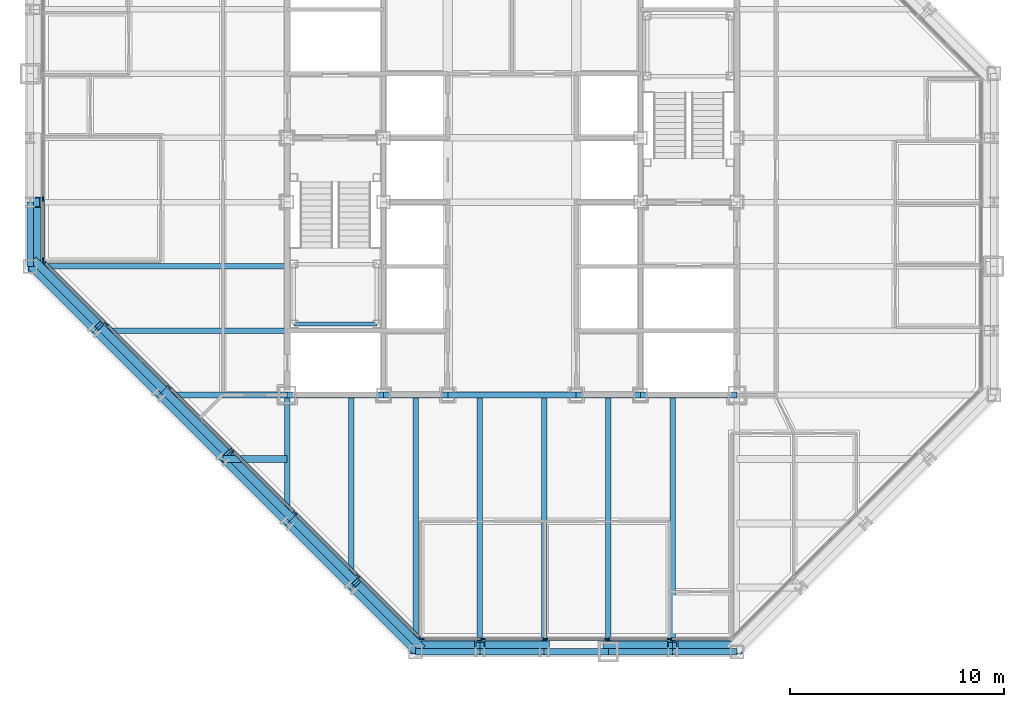
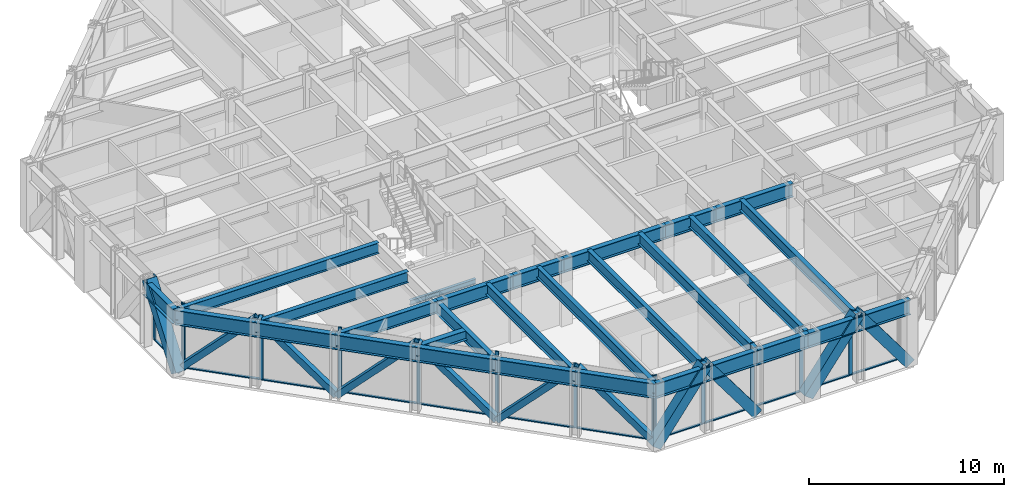
# One storey, part 5 of 16: 37 members, 29 beams, 3 elements without a shape of their own.
"""IFC4 building model written with IfcOpenShell, lengths in metres."""

from ifc_helpers import new_model, si_unit, direction, frame, origin, origin_2d, place, context, subcontext, project, spatial, rectangle, hollow_rectangle, i_section, extrude, material, layer, layer_set, material_profile, profile_set, type_object, element, aggregate, save


model = new_model("IFC4")

# Units and contexts
model_context = context("Model", 3, precision=1e-05, world=origin(), true_north=direction((0.0, 1.0)))
body_context = subcontext(model_context, "Body", "Model", "MODEL_VIEW")
ifc_project = project(units=[si_unit("LENGTHUNIT", "METRE"), si_unit("AREAUNIT", "SQUARE_METRE"), si_unit("VOLUMEUNIT", "CUBIC_METRE"), si_unit("PLANEANGLEUNIT", "RADIAN"), si_unit("MASSUNIT", "GRAM", prefix="KILO")], contexts=[model_context])

# Site, building, storey
site_placement = place(None, origin())
site = spatial("IfcSite", under=ifc_project, at=site_placement, CompositionType="ELEMENT")
building_placement = place(site_placement, origin())
building = spatial("IfcBuilding", under=site, at=building_placement, Name="Chuquiago Exchange Tower", CompositionType="ELEMENT")
storey_placement = place(building_placement, frame((0.0, 0.0, 209.699951171875)))
storey = spatial("IfcBuildingStorey", under=building, at=storey_placement, Name="L46", CompositionType="ELEMENT", Elevation=209.699951171875)

# Beams
ifc_material_1 = material(Name="Steel ASTM A992", Category="steel")
ifc_material_profile_1 = material_profile(ifc_material_1, i_section(OverallWidth=0.25390625, OverallDepth=0.683349609375, WebThickness=0.012451171875, FlangeThickness=0.018798828125, at=origin_2d()), Name="W27X94")
ifc_profile_set_1 = profile_set([ifc_material_profile_1], Name="Steel ASTM A992")
beam_type_1 = type_object("IfcBeamType", Name="B1 W27X94", PredefinedType="BEAM", material=ifc_profile_set_1)
beam_1_placement = place(storey_placement, frame((15.0, 12.0, 3.698486328125), z_axis=(0.0, -1.0, 0.0), x_axis=(1.0, 0.0, 0.0)))
element("IfcBeam", 1, at=beam_1_placement, inside=storey, type_object=beam_type_1, Name="FB-L47-infill-15_12-15_3-0", PredefinedType="BEAM", context=body_context, shape_type="SweptSolid", body=[
    extrude(i_section(OverallWidth=0.25390625, OverallDepth=0.683349609375, WebThickness=0.012451171875, FlangeThickness=0.018798828125, at=origin_2d()), origin(), (0.0, 0.0, 1.0), 9.0),
])
for number, where, z_axis, x_axis, name in (
    (2, (18.0, 12.0, 3.698486328125), (0.0, -1.0, 0.0), (1.0, 0.0, 0.0), "FB-L47-infill-18_12-18_-0-0"),
    (3, (21.0, 12.0, 3.698486328125), (0.0, -1.0, 0.0), (1.0, 0.0, 0.0), "FB-L47-infill-21_12-21_-0-0"),
    (4, (24.0, 12.0, 3.698486328125), (0.0, -1.0, 0.0), (1.0, 0.0, 0.0), "FB-L47-infill-24_12-24_-0-0"),
    (5, (27.0, 12.0, 3.698486328125), (0.0, -1.0, 0.0), (1.0, 0.0, 0.0), "FB-L47-infill-27_12-27_-0-0"),
    (6, (30.0, 12.0, 3.698486328125), (0.0, -1.0, 0.0), (1.0, 0.0, 0.0), "FB-L47-infill-30_12-30_-0-0"),
):
    element("IfcBeam", number, at=place(storey_placement, frame(where, z_axis=z_axis, x_axis=x_axis)), inside=storey, type_object=beam_type_1, Name=name, PredefinedType="BEAM", context=body_context, shape_type="SweptSolid", body=[
        extrude(i_section(OverallWidth=0.25390625, OverallDepth=0.683349609375, WebThickness=0.012451171875, FlangeThickness=0.018798828125, at=origin_2d()), origin(), (0.0, 0.0, 1.0), 12.0),
    ])
beam_2_placement = place(storey_placement, frame((12.0, 15.0, 3.698486328125), z_axis=(-1.0, 0.0, 0.0), x_axis=(0.0, -1.0, 0.0)))
element("IfcBeam", 7, at=beam_2_placement, inside=storey, type_object=beam_type_1, Name="FB-L47-infill-12_15-3_15-0", PredefinedType="BEAM", context=body_context, shape_type="SweptSolid", body=[
    extrude(i_section(OverallWidth=0.25390625, OverallDepth=0.683349609375, WebThickness=0.012451171875, FlangeThickness=0.018798828125, at=origin_2d()), origin(), (0.0, 0.0, 1.0), 9.0),
])
beam_3_placement = place(storey_placement, frame((12.0, 18.0, 3.698486328125), z_axis=(-1.0, 0.0, 0.0), x_axis=(0.0, -1.0, 0.0)))
element("IfcBeam", 8, at=beam_3_placement, inside=storey, type_object=beam_type_1, Name="FB-L47-infill-12_18--0_18-0", PredefinedType="BEAM", context=body_context, shape_type="SweptSolid", body=[
    extrude(i_section(OverallWidth=0.25390625, OverallDepth=0.683349609375, WebThickness=0.012451171875, FlangeThickness=0.018798828125, at=origin_2d()), origin(), (0.0, 0.0, 1.0), 12.0),
])
ifc_material_2 = material(Name="Steel ASTM A992", Category="steel")
ifc_material_profile_2 = material_profile(ifc_material_2, i_section(OverallWidth=0.3251953125, OverallDepth=0.612060546875, WebThickness=0.0126953125, FlangeThickness=0.01904296875, at=origin_2d()), Name="W24X104")
ifc_profile_set_2 = profile_set([ifc_material_profile_2], Name="Steel ASTM A992")
beam_type_2 = type_object("IfcBeamType", Name="B2 W24X104", PredefinedType="BEAM", material=ifc_profile_set_2)
beam_4_placement = place(storey_placement, frame((12.0, 9.0, 3.73388671875), z_axis=(-1.0, 0.0, 0.0), x_axis=(0.0, -1.0, 0.0)))
element("IfcBeam", 9, at=beam_4_placement, inside=storey, type_object=beam_type_2, Name="FB-L47-corner-12_9-9_9-0", PredefinedType="BEAM", context=body_context, shape_type="SweptSolid", body=[
    extrude(i_section(OverallWidth=0.3251953125, OverallDepth=0.612060546875, WebThickness=0.0126953125, FlangeThickness=0.01904296875, at=origin_2d()), origin(), (0.0, 0.0, 1.0), 3.0),
])
ifc_material_3 = material(Name="Steel ASTM A992", Category="steel")
ifc_material_profile_3 = material_profile(ifc_material_3, i_section(OverallWidth=0.2919921875, OverallDepth=0.8583984375, WebThickness=0.01708984375, FlangeThickness=0.031005859375, at=origin_2d()), Name="W33X169")
ifc_profile_set_3 = profile_set([ifc_material_profile_3], Name="Steel ASTM A992")
beam_type_3 = type_object("IfcBeamType", Name="B3 W33X169", PredefinedType="BEAM", material=ifc_profile_set_3)
beam_5_placement = place(storey_placement, frame((12.0, 12.0, 3.61083984375), z_axis=(1.0, 0.0, 0.0), x_axis=(0.0, 1.0, 0.0)))
element("IfcBeam", 10, at=beam_5_placement, inside=storey, type_object=beam_type_3, Name="CB-L47-12_12-16.5_12", PredefinedType="BEAM", context=body_context, shape_type="SweptSolid", body=[
    extrude(i_section(OverallWidth=0.2919921875, OverallDepth=0.8583984375, WebThickness=0.01708984375, FlangeThickness=0.031005859375, at=origin_2d()), origin(), (0.0, 0.0, 1.0), 4.5),
])
beam_6_placement = place(storey_placement, frame((16.5, 12.0, 3.61083984375), z_axis=(1.0, 0.0, 0.0), x_axis=(0.0, 1.0, 0.0)))
element("IfcBeam", 11, at=beam_6_placement, inside=storey, type_object=beam_type_3, Name="CB-L47-16.5_12-19.5_12", PredefinedType="BEAM", context=body_context, shape_type="SweptSolid", body=[
    extrude(i_section(OverallWidth=0.2919921875, OverallDepth=0.8583984375, WebThickness=0.01708984375, FlangeThickness=0.031005859375, at=origin_2d()), origin(), (0.0, 0.0, 1.0), 3.0),
])
beam_7_placement = place(storey_placement, frame((19.5, 12.0, 3.61083984375), z_axis=(1.0, 0.0, 0.0), x_axis=(0.0, 1.0, 0.0)))
element("IfcBeam", 12, at=beam_7_placement, inside=storey, type_object=beam_type_3, Name="CB-L47-19.5_12-25.5_12", PredefinedType="BEAM", context=body_context, shape_type="SweptSolid", body=[
    extrude(i_section(OverallWidth=0.2919921875, OverallDepth=0.8583984375, WebThickness=0.01708984375, FlangeThickness=0.031005859375, at=origin_2d()), origin(), (0.0, 0.0, 1.0), 6.0),
])
beam_8_placement = place(storey_placement, frame((25.5, 12.0, 3.61083984375), z_axis=(1.0, 0.0, 0.0), x_axis=(0.0, 1.0, 0.0)))
element("IfcBeam", 13, at=beam_8_placement, inside=storey, type_object=beam_type_3, Name="CB-L47-25.5_12-28.5_12", PredefinedType="BEAM", context=body_context, shape_type="SweptSolid", body=[
    extrude(i_section(OverallWidth=0.2919921875, OverallDepth=0.8583984375, WebThickness=0.01708984375, FlangeThickness=0.031005859375, at=origin_2d()), origin(), (0.0, 0.0, 1.0), 3.0),
])
beam_9_placement = place(storey_placement, frame((28.5, 12.0, 3.61083984375), z_axis=(1.0, 0.0, 0.0), x_axis=(0.0, 1.0, 0.0)))
element("IfcBeam", 14, at=beam_9_placement, inside=storey, type_object=beam_type_3, Name="CB-L47-28.5_12-33_12", PredefinedType="BEAM", context=body_context, shape_type="SweptSolid", body=[
    extrude(i_section(OverallWidth=0.2919921875, OverallDepth=0.8583984375, WebThickness=0.01708984375, FlangeThickness=0.031005859375, at=origin_2d()), origin(), (0.0, 0.0, 1.0), 4.5),
])

# Curtain wall, members
ifc_material_4 = material(Name="Aluminium curtain wall system", Category="aluminium")
ifc_layer_1 = layer(ifc_material_4, 0.22509765625)
ifc_layer_set_1 = layer_set([ifc_layer_1], Name="CW2 office curtain wall")
curtain_wall_type_1 = type_object("IfcCurtainWallType", Name="CW2 office curtain wall", PredefinedType="NOTDEFINED", material=ifc_layer_set_1)
curtain_wall_1_placement = place(storey_placement, origin())
curtain_wall_1 = element("IfcCurtainWall", 15, at=curtain_wall_1_placement, inside=storey, type_object=curtain_wall_type_1, Name="CW2 curtain wall L46", PredefinedType="NOTDEFINED")
ifc_material_5 = material(Name="Aluminium mullion, pale anodised", Category="aluminium")
ifc_material_profile_4 = material_profile(ifc_material_5, rectangle(XDim=0.06494140625, YDim=0.22509765625, at=origin_2d()), Name="AL 65x225")
ifc_profile_set_4 = profile_set([ifc_material_profile_4], Name="Aluminium mullion, pale anodised")
member_type_1 = type_object("IfcMemberType", Name="CW2-M mullion 65x225", PredefinedType="MULLION", material=ifc_profile_set_4)
member_1_placement = place(storey_placement, frame((18.281005859375, 0.60009765625, 0.0), z_axis=(0.0, 0.0, 1.0), x_axis=(0.0, 1.0, 0.0)))
member_1 = element("IfcMember", 16, at=member_1_placement, type_object=member_type_1, Name="CW2 mullion 1", PredefinedType="MULLION", context=body_context, shape_type="SweptSolid", body=[
    extrude(rectangle(XDim=0.06494140625, YDim=0.22509765625, at=origin_2d()), origin(), (0.0, 0.0, 1.0), 4.0400390625),
])
member_2_placement = place(storey_placement, frame((21.149169921875, 0.60009765625, 0.0), z_axis=(0.0, 0.0, 1.0), x_axis=(0.0, 1.0, 0.0)))
member_2 = element("IfcMember", 17, at=member_2_placement, type_object=member_type_1, Name="CW2 mullion 2", PredefinedType="MULLION", context=body_context, shape_type="SweptSolid", body=[
    extrude(rectangle(XDim=0.06494140625, YDim=0.22509765625, at=origin_2d()), origin(), (0.0, 0.0, 1.0), 4.0400390625),
])
member_3_placement = place(storey_placement, frame((24.0498046875, 0.60009765625, 0.0), z_axis=(0.0, 0.0, 1.0), x_axis=(0.0, 1.0, 0.0)))
member_3 = element("IfcMember", 18, at=member_3_placement, type_object=member_type_1, Name="CW2 mullion 3", PredefinedType="MULLION", context=body_context, shape_type="SweptSolid", body=[
    extrude(rectangle(XDim=0.06494140625, YDim=0.22509765625, at=origin_2d()), origin(), (0.0, 0.0, 1.0), 4.0400390625),
])
member_4_placement = place(storey_placement, frame((26.9501953125, 0.60009765625, 0.0), z_axis=(0.0, 0.0, 1.0), x_axis=(0.0, 1.0, 0.0)))
member_4 = element("IfcMember", 19, at=member_4_placement, type_object=member_type_1, Name="CW2 mullion 4", PredefinedType="MULLION", context=body_context, shape_type="SweptSolid", body=[
    extrude(rectangle(XDim=0.06494140625, YDim=0.22509765625, at=origin_2d()), origin(), (0.0, 0.0, 1.0), 4.0400390625),
])
member_5_placement = place(storey_placement, frame((29.850830078125, 0.60009765625, 0.0), z_axis=(0.0, 0.0, 1.0), x_axis=(0.0, 1.0, 0.0)))
member_5 = element("IfcMember", 20, at=member_5_placement, type_object=member_type_1, Name="CW2 mullion 5", PredefinedType="MULLION", context=body_context, shape_type="SweptSolid", body=[
    extrude(rectangle(XDim=0.06494140625, YDim=0.22509765625, at=origin_2d()), origin(), (0.0, 0.0, 1.0), 4.0400390625),
])

curtain_wall_2_placement = place(storey_placement, origin())
curtain_wall_2 = element("IfcCurtainWall", 21, at=curtain_wall_2_placement, inside=storey, type_object=curtain_wall_type_1, Name="CW2 curtain wall L46", PredefinedType="NOTDEFINED")
member_6_placement = place(storey_placement, frame((0.60009765625, 21.149169921875, 0.0), z_axis=(0.0, 0.0, 1.0), x_axis=(1.0, 0.0, 0.0)))
member_6 = element("IfcMember", 22, at=member_6_placement, type_object=member_type_1, Name="CW2 mullion 5", PredefinedType="MULLION", context=body_context, shape_type="SweptSolid", body=[
    extrude(rectangle(XDim=0.06494140625, YDim=0.22509765625, at=origin_2d()), origin(), (0.0, 0.0, 1.0), 4.0400390625),
])
member_7_placement = place(storey_placement, frame((0.60009765625, 18.281005859375, 0.0), z_axis=(0.0, 0.0, 1.0), x_axis=(1.0, 0.0, 0.0)))
member_7 = element("IfcMember", 23, at=member_7_placement, type_object=member_type_1, Name="CW2 mullion 6", PredefinedType="MULLION", context=body_context, shape_type="SweptSolid", body=[
    extrude(rectangle(XDim=0.06494140625, YDim=0.22509765625, at=origin_2d()), origin(), (0.0, 0.0, 1.0), 4.0400390625),
])

# Member
ifc_material_6 = material(Name="Aluminium transom, pale anodised", Category="aluminium")
ifc_material_profile_5 = material_profile(ifc_material_6, rectangle(XDim=0.139892578125, YDim=0.06494140625, at=origin_2d()), Name="AL 140x65")
ifc_profile_set_5 = profile_set([ifc_material_profile_5], Name="Aluminium transom, pale anodised")
member_type_2 = type_object("IfcMemberType", Name="CW2-T transom 65x140", PredefinedType="MULLION", material=ifc_profile_set_5)
member_8_placement = place(storey_placement, frame((18.3134765625, 0.60009765625, 0.032470703125), z_axis=(1.0, 0.0, 0.0), x_axis=(0.0, 1.0, 0.0)))
member_8 = element("IfcMember", 24, at=member_8_placement, type_object=member_type_2, Name="CW2 transom 1.1", PredefinedType="MULLION", context=body_context, shape_type="SweptSolid", body=[
    extrude(rectangle(XDim=0.139892578125, YDim=0.06494140625, at=origin_2d()), origin(), (0.0, 0.0, 1.0), 2.80322265625),
])

member_9_placement = place(storey_placement, frame((21.181640625, 0.60009765625, 0.032470703125), z_axis=(1.0, 0.0, 0.0), x_axis=(0.0, 1.0, 0.0)))
member_9 = element("IfcMember", 25, at=member_9_placement, type_object=member_type_2, Name="CW2 transom 2.1", PredefinedType="MULLION", context=body_context, shape_type="SweptSolid", body=[
    extrude(rectangle(XDim=0.139892578125, YDim=0.06494140625, at=origin_2d()), origin(), (0.0, 0.0, 1.0), 2.83544921875),
])

member_10_placement = place(storey_placement, frame((24.082275390625, 0.60009765625, 0.032470703125), z_axis=(1.0, 0.0, 0.0), x_axis=(0.0, 1.0, 0.0)))
member_10 = element("IfcMember", 26, at=member_10_placement, type_object=member_type_2, Name="CW2 transom 3.1", PredefinedType="MULLION", context=body_context, shape_type="SweptSolid", body=[
    extrude(rectangle(XDim=0.139892578125, YDim=0.06494140625, at=origin_2d()), origin(), (0.0, 0.0, 1.0), 2.83544921875),
])

member_11_placement = place(storey_placement, frame((26.98291015625, 0.60009765625, 0.032470703125), z_axis=(1.0, 0.0, 0.0), x_axis=(0.0, 1.0, 0.0)))
member_11 = element("IfcMember", 27, at=member_11_placement, type_object=member_type_2, Name="CW2 transom 4.1", PredefinedType="MULLION", context=body_context, shape_type="SweptSolid", body=[
    extrude(rectangle(XDim=0.139892578125, YDim=0.06494140625, at=origin_2d()), origin(), (0.0, 0.0, 1.0), 2.83544921875),
])

member_12_placement = place(storey_placement, frame((29.88330078125, 0.60009765625, 0.032470703125), z_axis=(1.0, 0.0, 0.0), x_axis=(0.0, 1.0, 0.0)))
member_12 = element("IfcMember", 28, at=member_12_placement, type_object=member_type_2, Name="CW2 transom 5.1", PredefinedType="MULLION", context=body_context, shape_type="SweptSolid", body=[
    extrude(rectangle(XDim=0.139892578125, YDim=0.06494140625, at=origin_2d()), origin(), (0.0, 0.0, 1.0), 2.80322265625),
])

aggregate(curtain_wall_1, [member_1, member_2, member_3, member_4, member_5, member_8, member_9, member_10, member_11, member_12])

member_13_placement = place(storey_placement, frame((0.60009765625, 21.11669921875, 0.032470703125), z_axis=(0.0, -1.0, 0.0), x_axis=(1.0, 0.0, 0.0)))
member_13 = element("IfcMember", 29, at=member_13_placement, type_object=member_type_2, Name="CW2 transom 5.1", PredefinedType="MULLION", context=body_context, shape_type="SweptSolid", body=[
    extrude(rectangle(XDim=0.139892578125, YDim=0.06494140625, at=origin_2d()), origin(), (0.0, 0.0, 1.0), 2.80322265625),
])

aggregate(curtain_wall_2, [member_6, member_7, member_13])

# Curtain wall, members
ifc_material_7 = material(Name="Aluminium curtain wall system", Category="aluminium")
ifc_layer_2 = layer(ifc_material_7, 0.199951171875)
ifc_layer_set_2 = layer_set([ifc_layer_2], Name="CW3 facet curtain wall")
curtain_wall_type_2 = type_object("IfcCurtainWallType", Name="CW3 facet curtain wall", PredefinedType="NOTDEFINED", material=ifc_layer_set_2)
curtain_wall_3_placement = place(storey_placement, origin())
curtain_wall_3 = element("IfcCurtainWall", 30, at=curtain_wall_3_placement, inside=storey, type_object=curtain_wall_type_2, Name="CW3 curtain wall L46", PredefinedType="NOTDEFINED")
ifc_material_8 = material(Name="Aluminium mullion, pale anodised", Category="aluminium")
ifc_material_profile_6 = material_profile(ifc_material_8, rectangle(XDim=0.06494140625, YDim=0.199951171875, at=origin_2d()), Name="AL 65x200")
ifc_profile_set_6 = profile_set([ifc_material_profile_6], Name="Aluminium mullion, pale anodised")
member_type_3 = type_object("IfcMemberType", Name="CW3-M mullion 65x200", PredefinedType="MULLION", material=ifc_profile_set_6)
member_14_placement = place(storey_placement, frame((0.623046875, 18.2255859375, 0.0), z_axis=(0.0, 0.0, 1.0), x_axis=(0.707106781187, 0.707106781187, 0.0)))
member_14 = element("IfcMember", 31, at=member_14_placement, type_object=member_type_3, Name="CW3 mullion 1", PredefinedType="MULLION", context=body_context, shape_type="SweptSolid", body=[
    extrude(rectangle(XDim=0.06494140625, YDim=0.199951171875, at=origin_2d()), origin(), (0.0, 0.0, 1.0), 4.0400390625),
])
member_15_placement = place(storey_placement, frame((3.54150390625, 15.30712890625, 0.0), z_axis=(0.0, 0.0, 1.0), x_axis=(0.707106781187, 0.707106781187, 0.0)))
member_15 = element("IfcMember", 32, at=member_15_placement, type_object=member_type_3, Name="CW3 mullion 2", PredefinedType="MULLION", context=body_context, shape_type="SweptSolid", body=[
    extrude(rectangle(XDim=0.06494140625, YDim=0.199951171875, at=origin_2d()), origin(), (0.0, 0.0, 1.0), 4.0400390625),
])
member_16_placement = place(storey_placement, frame((6.48291015625, 12.36572265625, 0.0), z_axis=(0.0, 0.0, 1.0), x_axis=(0.707106781187, 0.707106781187, 0.0)))
member_16 = element("IfcMember", 33, at=member_16_placement, type_object=member_type_3, Name="CW3 mullion 3", PredefinedType="MULLION", context=body_context, shape_type="SweptSolid", body=[
    extrude(rectangle(XDim=0.06494140625, YDim=0.199951171875, at=origin_2d()), origin(), (0.0, 0.0, 1.0), 4.0400390625),
])
member_17_placement = place(storey_placement, frame((9.42431640625, 9.42431640625, 0.0), z_axis=(0.0, 0.0, 1.0), x_axis=(0.707106781187, 0.707106781187, 0.0)))
member_17 = element("IfcMember", 34, at=member_17_placement, type_object=member_type_3, Name="CW3 mullion 4", PredefinedType="MULLION", context=body_context, shape_type="SweptSolid", body=[
    extrude(rectangle(XDim=0.06494140625, YDim=0.199951171875, at=origin_2d()), origin(), (0.0, 0.0, 1.0), 4.0400390625),
])
member_18_placement = place(storey_placement, frame((12.36572265625, 6.48291015625, 0.0), z_axis=(0.0, 0.0, 1.0), x_axis=(0.707106781187, 0.707106781187, 0.0)))
member_18 = element("IfcMember", 35, at=member_18_placement, type_object=member_type_3, Name="CW3 mullion 5", PredefinedType="MULLION", context=body_context, shape_type="SweptSolid", body=[
    extrude(rectangle(XDim=0.06494140625, YDim=0.199951171875, at=origin_2d()), origin(), (0.0, 0.0, 1.0), 4.0400390625),
])
member_19_placement = place(storey_placement, frame((15.30712890625, 3.54150390625, 0.0), z_axis=(0.0, 0.0, 1.0), x_axis=(0.707106781187, 0.707106781187, 0.0)))
member_19 = element("IfcMember", 36, at=member_19_placement, type_object=member_type_3, Name="CW3 mullion 6", PredefinedType="MULLION", context=body_context, shape_type="SweptSolid", body=[
    extrude(rectangle(XDim=0.06494140625, YDim=0.199951171875, at=origin_2d()), origin(), (0.0, 0.0, 1.0), 4.0400390625),
])
member_20_placement = place(storey_placement, frame((18.2255859375, 0.623046875, 0.0), z_axis=(0.0, 0.0, 1.0), x_axis=(0.707106781187, 0.707106781187, 0.0)))
member_20 = element("IfcMember", 37, at=member_20_placement, type_object=member_type_3, Name="CW3 mullion 7", PredefinedType="MULLION", context=body_context, shape_type="SweptSolid", body=[
    extrude(rectangle(XDim=0.06494140625, YDim=0.199951171875, at=origin_2d()), origin(), (0.0, 0.0, 1.0), 4.0400390625),
])
ifc_material_9 = material(Name="Aluminium transom, pale anodised", Category="aluminium")
ifc_material_profile_7 = material_profile(ifc_material_9, rectangle(XDim=0.139892578125, YDim=0.06494140625, at=origin_2d()), Name="AL 140x65")
ifc_profile_set_7 = profile_set([ifc_material_profile_7], Name="Aluminium transom, pale anodised")
member_type_4 = type_object("IfcMemberType", Name="CW3-T transom 65x140", PredefinedType="MULLION", material=ifc_profile_set_7)
member_21_placement = place(storey_placement, frame((0.64599609375, 18.20263671875, 0.032470703125), z_axis=(0.707106781187, -0.707106781187, 0.0), x_axis=(0.707106781187, 0.707106781187, 0.0)))
member_21 = element("IfcMember", 38, at=member_21_placement, type_object=member_type_4, Name="CW3 transom 1.1", PredefinedType="MULLION", context=body_context, shape_type="SweptSolid", body=[
    extrude(rectangle(XDim=0.139892578125, YDim=0.06494140625, at=origin_2d()), origin(), (0.0, 0.0, 1.0), 4.0625),
])
member_22_placement = place(storey_placement, frame((3.564453125, 15.2841796875, 0.032470703125), z_axis=(0.707106781187, -0.707106781187, 0.0), x_axis=(0.707106781187, 0.707106781187, 0.0)))
member_22 = element("IfcMember", 39, at=member_22_placement, type_object=member_type_4, Name="CW3 transom 2.1", PredefinedType="MULLION", context=body_context, shape_type="SweptSolid", body=[
    extrude(rectangle(XDim=0.139892578125, YDim=0.06494140625, at=origin_2d()), origin(), (0.0, 0.0, 1.0), 4.094970703125),
])
member_23_placement = place(storey_placement, frame((6.505859375, 12.3427734375, 0.032470703125), z_axis=(0.707106781187, -0.707106781187, 0.0), x_axis=(0.707106781187, 0.707106781187, 0.0)))
member_23 = element("IfcMember", 40, at=member_23_placement, type_object=member_type_4, Name="CW3 transom 3.1", PredefinedType="MULLION", context=body_context, shape_type="SweptSolid", body=[
    extrude(rectangle(XDim=0.139892578125, YDim=0.06494140625, at=origin_2d()), origin(), (0.0, 0.0, 1.0), 4.094970703125),
])
member_24_placement = place(storey_placement, frame((9.447265625, 9.4013671875, 0.032470703125), z_axis=(0.707106781187, -0.707106781187, 0.0), x_axis=(0.707106781187, 0.707106781187, 0.0)))
member_24 = element("IfcMember", 41, at=member_24_placement, type_object=member_type_4, Name="CW3 transom 4.1", PredefinedType="MULLION", context=body_context, shape_type="SweptSolid", body=[
    extrude(rectangle(XDim=0.139892578125, YDim=0.06494140625, at=origin_2d()), origin(), (0.0, 0.0, 1.0), 4.094970703125),
])
member_25_placement = place(storey_placement, frame((12.388671875, 6.4599609375, 0.032470703125), z_axis=(0.707106781187, -0.707106781187, 0.0), x_axis=(0.707106781187, 0.707106781187, 0.0)))
member_25 = element("IfcMember", 42, at=member_25_placement, type_object=member_type_4, Name="CW3 transom 5.1", PredefinedType="MULLION", context=body_context, shape_type="SweptSolid", body=[
    extrude(rectangle(XDim=0.139892578125, YDim=0.06494140625, at=origin_2d()), origin(), (0.0, 0.0, 1.0), 4.094970703125),
])
member_26_placement = place(storey_placement, frame((15.330078125, 3.5185546875, 0.032470703125), z_axis=(0.707106781187, -0.707106781187, 0.0), x_axis=(0.707106781187, 0.707106781187, 0.0)))
member_26 = element("IfcMember", 43, at=member_26_placement, type_object=member_type_4, Name="CW3 transom 6.1", PredefinedType="MULLION", context=body_context, shape_type="SweptSolid", body=[
    extrude(rectangle(XDim=0.139892578125, YDim=0.06494140625, at=origin_2d()), origin(), (0.0, 0.0, 1.0), 4.0625),
])
aggregate(curtain_wall_3, [member_14, member_15, member_16, member_17, member_18, member_19, member_20, member_21, member_22, member_23, member_24, member_25, member_26])

# Beams
ifc_material_10 = material(Name="Steel ASTM A992", Category="steel")
ifc_material_profile_8 = material_profile(ifc_material_10, i_section(OverallWidth=0.2666015625, OverallDepth=0.76953125, WebThickness=0.015625, FlangeThickness=0.025390625, at=origin_2d()), Name="W30X132")
ifc_profile_set_8 = profile_set([ifc_material_profile_8], Name="Steel ASTM A992")
beam_type_4 = type_object("IfcBeamType", Name="G1 W30X132", PredefinedType="BEAM", material=ifc_profile_set_8)
for number, where, z_axis, x_axis, name in (
    (44, (12.0, 12.0, 3.6552734375), (0.0, -1.0, 0.0), (1.0, 0.0, 0.0), "FB-L47-girder-12_12-12_6-0"),
    (45, (12.0, 12.0, 3.6552734375), (-1.0, 0.0, 0.0), (0.0, -1.0, 0.0), "FB-L47-girder-12_12-6_12-0"),
):
    element("IfcBeam", number, at=place(storey_placement, frame(where, z_axis=z_axis, x_axis=x_axis)), inside=storey, type_object=beam_type_4, Name=name, PredefinedType="BEAM", context=body_context, shape_type="SweptSolid", body=[
        extrude(i_section(OverallWidth=0.2666015625, OverallDepth=0.76953125, WebThickness=0.015625, FlangeThickness=0.025390625, at=origin_2d()), origin(), (0.0, 0.0, 1.0), 6.0),
    ])

# Members
ifc_material_11 = material(Name="Steel ASTM A500 Grade C", Category="steel")
ifc_material_profile_9 = material_profile(ifc_material_11, hollow_rectangle(XDim=0.355712890625, YDim=0.355712890625, WallThickness=0.0146484375, at=origin_2d()), Name="HSS14X14X5/8")
ifc_profile_set_9 = profile_set([ifc_material_profile_9], Name="Steel ASTM A500 Grade C")
member_type_5 = type_object("IfcMemberType", Name="LB2 HSS14X14X5/8", PredefinedType="BRACE", material=ifc_profile_set_9)
for number, where, z_axis, x_axis, name in (
    (46, (0.2314453125, 18.2314453125, 0.0), (0.512077265487, -0.512077265487, 0.689604051861), (0.707106781187, 0.707106781187, 0.0), "LB-L46-0_18-3_15"),
    (47, (6.2314453125, 12.2314453125, 0.0), (-0.512077265487, 0.512077265487, 0.689604051861), (-0.707106781187, -0.707106781187, 0.0), "LB-L46-3_15-6_12"),
    (48, (6.2314453125, 12.2314453125, 0.0), (0.512077265487, -0.512077265487, 0.689604051861), (0.707106781187, 0.707106781187, 0.0), "LB-L46-6_12-9_9"),
    (49, (12.2314453125, 6.2314453125, 0.0), (-0.512077265487, 0.512077265487, 0.689604051861), (-0.707106781187, -0.707106781187, 0.0), "LB-L46-9_9-12_6"),
    (50, (12.2314453125, 6.2314453125, 0.0), (0.512077265487, -0.512077265487, 0.689604051861), (0.707106781187, 0.707106781187, 0.0), "LB-L46-12_6-15_3"),
    (51, (18.2314453125, 0.2314453125, 0.0), (-0.512077265487, 0.512077265487, 0.689604051861), (-0.707106781187, -0.707106781187, 0.0), "LB-L46-15_3-18_0"),
):
    element("IfcMember", number, at=place(storey_placement, frame(where, z_axis=z_axis, x_axis=x_axis)), inside=storey, type_object=member_type_5, Name=name, PredefinedType="BRACE", context=body_context, shape_type="SweptSolid", body=[
        extrude(hollow_rectangle(XDim=0.355712890625, YDim=0.355712890625, WallThickness=0.0146484375, at=origin_2d()), origin(), (0.0, 0.0, 1.0), 5.8583984375),
    ])

# Beam
ifc_material_12 = material(Name="Steel ASTM A992", Category="steel")
ifc_material_profile_10 = material_profile(ifc_material_12, i_section(OverallWidth=0.164794921875, OverallDepth=0.309814453125, WebThickness=0.005859375, FlangeThickness=0.009765625, at=origin_2d()), Name="W12X26")
ifc_profile_set_10 = profile_set([ifc_material_profile_10], Name="Steel ASTM A992")
beam_type_5 = type_object("IfcBeamType", Name="LT1 W12X26", PredefinedType="BEAM", material=ifc_profile_set_10)
beam_10_placement = place(storey_placement, frame((12.31005859375, 15.31005859375, 1.7451171875), z_axis=(1.0, 0.0, 0.0), x_axis=(0.0, 1.0, 0.0)))
element("IfcBeam", 52, at=beam_10_placement, inside=storey, type_object=beam_type_5, Name="Stair ST1 L46 landing 1 trimmer", PredefinedType="BEAM", context=body_context, shape_type="SweptSolid", body=[
    extrude(i_section(OverallWidth=0.164794921875, OverallDepth=0.309814453125, WebThickness=0.005859375, FlangeThickness=0.009765625, at=origin_2d()), origin(), (0.0, 0.0, 1.0), 3.8798828125),
])

# Members
ifc_material_13 = material(Name="Steel ASTM A572 Grade 50", Category="steel")
ifc_material_profile_11 = material_profile(ifc_material_13, hollow_rectangle(XDim=0.60009765625, YDim=0.60009765625, WallThickness=0.06005859375, at=origin_2d()), Name="BOX600X600X60")
ifc_profile_set_11 = profile_set([ifc_material_profile_11], Name="Steel ASTM A572 Grade 50")
member_type_6 = type_object("IfcMemberType", Name="MB3 BOX600X600X60", PredefinedType="BRACE", material=ifc_profile_set_11)
for number, where, z_axis, x_axis, name in (
    (53, (18.0, 0.205078125, 0.0), (0.596173923302, 0.0, 0.802855312728), (0.0, 1.0, 0.0), "Mega diagonal L46 S face"),
    (54, (24.0, 0.205078125, 0.0), (-0.596173923302, 0.0, 0.802855312728), (0.0, -1.0, 0.0), "Mega diagonal L46 S face"),
    (55, (27.0, 0.205078125, 0.0), (0.596173923302, 0.0, 0.802855312728), (0.0, 1.0, 0.0), "Mega diagonal L46 S face"),
    (56, (33.0, 0.205078125, 0.0), (-0.596173923302, 0.0, 0.802855312728), (0.0, -1.0, 0.0), "Mega diagonal L46 S face"),
    (57, (0.205078125, 18.0, 0.0), (0.0, 0.596173923302, 0.802855312728), (-1.0, 0.0, 0.0), "Mega diagonal L46 W face"),
):
    element("IfcMember", number, at=place(storey_placement, frame(where, z_axis=z_axis, x_axis=x_axis)), inside=storey, type_object=member_type_6, Name=name, PredefinedType="BRACE", context=body_context, shape_type="SweptSolid", body=[
        extrude(hollow_rectangle(XDim=0.60009765625, YDim=0.60009765625, WallThickness=0.06005859375, at=origin_2d()), origin(), (0.0, 0.0, 1.0), 5.031982421875),
    ])

# Beams
ifc_material_14 = material(Name="Steel ASTM A992", Category="steel")
ifc_material_profile_12 = material_profile(ifc_material_14, i_section(OverallWidth=0.307373046875, OverallDepth=0.927001953125, WebThickness=0.01953125, FlangeThickness=0.031982421875, at=origin_2d()), Name="W36X194")
ifc_profile_set_12 = profile_set([ifc_material_profile_12], Name="Steel ASTM A992")
beam_type_6 = type_object("IfcBeamType", Name="SP3 W36X194", PredefinedType="SPANDREL", material=ifc_profile_set_12)
for number, where, z_axis, x_axis, name in (
    (58, (18.0, 0.0, 3.57666015625), (1.0, 0.0, 0.0), (0.0, 1.0, 0.0), "SPB-L47-18_0-21_0"),
    (59, (21.0, 0.0, 3.57666015625), (1.0, 0.0, 0.0), (0.0, 1.0, 0.0), "SPB-L47-21_0-24_0"),
    (60, (24.0, 0.0, 3.57666015625), (1.0, 0.0, 0.0), (0.0, 1.0, 0.0), "SPB-L47-24_0-27_0"),
    (61, (27.0, 0.0, 3.57666015625), (1.0, 0.0, 0.0), (0.0, 1.0, 0.0), "SPB-L47-27_0-30_0"),
    (62, (30.0, 0.0, 3.57666015625), (1.0, 0.0, 0.0), (0.0, 1.0, 0.0), "SPB-L47-30_0-33_0"),
    (63, (0.0, 21.0, 3.57666015625), (0.0, -1.0, 0.0), (1.0, 0.0, 0.0), "SPB-L47-0_21-0_18"),
):
    element("IfcBeam", number, at=place(storey_placement, frame(where, z_axis=z_axis, x_axis=x_axis)), inside=storey, type_object=beam_type_6, Name=name, PredefinedType="SPANDREL", context=body_context, shape_type="SweptSolid", body=[
        extrude(i_section(OverallWidth=0.307373046875, OverallDepth=0.927001953125, WebThickness=0.01953125, FlangeThickness=0.031982421875, at=origin_2d()), origin(), (0.0, 0.0, 1.0), 3.0),
    ])
for number, where, z_axis, x_axis, name in (
    (64, (0.0, 18.0, 3.57666015625), (0.707106781187, -0.707106781187, 0.0), (0.707106781187, 0.707106781187, 0.0), "SPB-L47-0_18-3_15"),
    (65, (3.0, 15.0, 3.57666015625), (0.707106781187, -0.707106781187, 0.0), (0.707106781187, 0.707106781187, 0.0), "SPB-L47-3_15-6_12"),
    (66, (6.0, 12.0, 3.57666015625), (0.707106781187, -0.707106781187, 0.0), (0.707106781187, 0.707106781187, 0.0), "SPB-L47-6_12-9_9"),
    (67, (9.0, 9.0, 3.57666015625), (0.707106781187, -0.707106781187, 0.0), (0.707106781187, 0.707106781187, 0.0), "SPB-L47-9_9-12_6"),
    (68, (12.0, 6.0, 3.57666015625), (0.707106781187, -0.707106781187, 0.0), (0.707106781187, 0.707106781187, 0.0), "SPB-L47-12_6-15_3"),
    (69, (15.0, 3.0, 3.57666015625), (0.707106781187, -0.707106781187, 0.0), (0.707106781187, 0.707106781187, 0.0), "SPB-L47-15_3-18_0"),
):
    element("IfcBeam", number, at=place(storey_placement, frame(where, z_axis=z_axis, x_axis=x_axis)), inside=storey, type_object=beam_type_6, Name=name, PredefinedType="SPANDREL", context=body_context, shape_type="SweptSolid", body=[
        extrude(i_section(OverallWidth=0.307373046875, OverallDepth=0.927001953125, WebThickness=0.01953125, FlangeThickness=0.031982421875, at=origin_2d()), origin(), (0.0, 0.0, 1.0), 4.24267578125),
    ])

save(model, "model.ifc")
